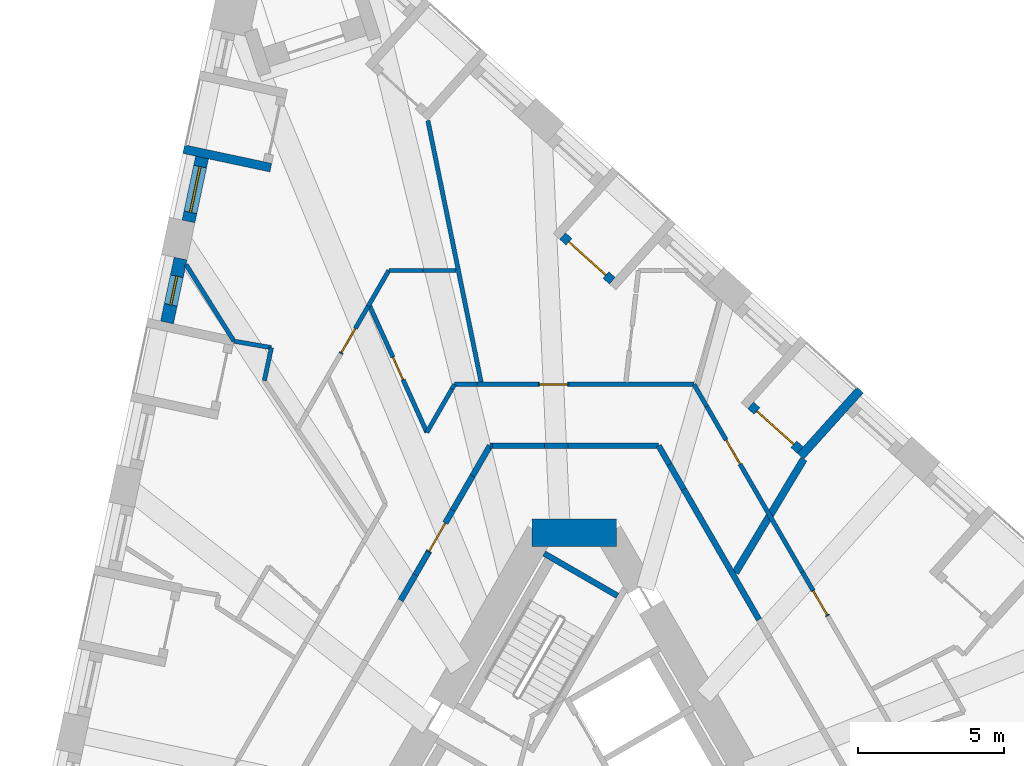
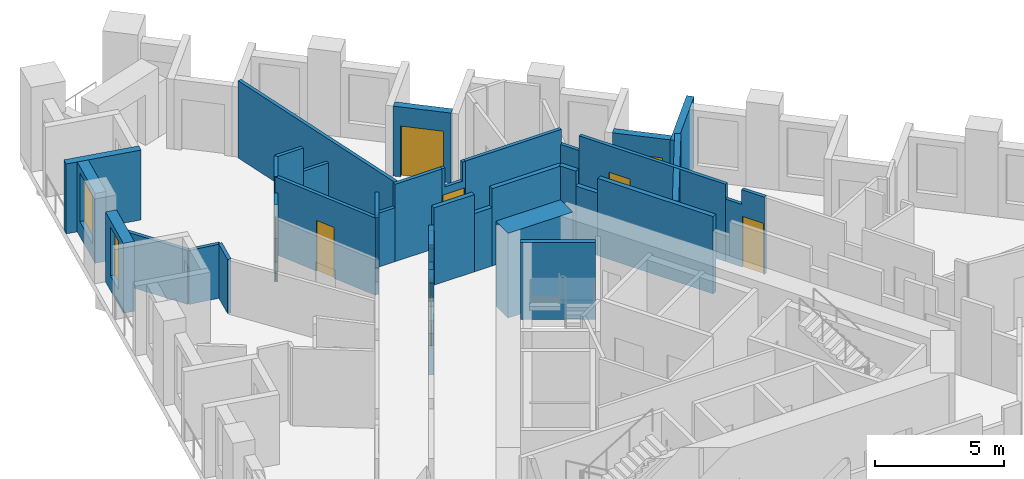
# One storey, part 8 of 13: 39 walls, 8 doors, 2 windows, 10 openings.
"""IFC4 building model written with IfcOpenShell, lengths in metres."""

from ifc_helpers import new_model, si_unit, direction, frame, frame_2d, origin, place, context, subcontext, project, spatial, polyline, rectangle, outline, extrude, material, layer, layer_set, type_object, element, fill, save


model = new_model("IFC4")

# Units and contexts
model_context = context("Model", 3, precision=1e-05, world=origin(), true_north=direction((0.0, 1.0)))
body_context = subcontext(model_context, "Body", "Model", "MODEL_VIEW")
ifc_project = project(units=[si_unit("LENGTHUNIT", "METRE"), si_unit("AREAUNIT", "SQUARE_METRE"), si_unit("VOLUMEUNIT", "CUBIC_METRE"), si_unit("PLANEANGLEUNIT", "RADIAN"), si_unit("MASSUNIT", "GRAM", prefix="KILO")], contexts=[model_context])

# Site, building, storey
site_placement = place(None, origin())
site = spatial("IfcSite", under=ifc_project, at=site_placement, CompositionType="ELEMENT")
building_placement = place(site_placement, origin())
building = spatial("IfcBuilding", under=site, at=building_placement, Name="Tramontana Tower", CompositionType="ELEMENT")
storey_placement = place(building_placement, frame((0.0, 0.0, 104.39990234375)))
storey = spatial("IfcBuildingStorey", under=building, at=storey_placement, Name="L23", CompositionType="ELEMENT", Elevation=104.39990234375)

# Walls
ifc_material_1 = material(Name="Concrete 70 MPa", Category="concrete")
ifc_layer_1 = layer(ifc_material_1, 0.949951171875)
ifc_layer_set_1 = layer_set([ifc_layer_1], Name="Core wall 950 70 MPa")
wall_type_1 = type_object("IfcWallType", Name="Core wall 950 70 MPa", PredefinedType="SHEAR", material=ifc_layer_set_1)
wall_1_placement = place(storey_placement, frame((1.443359375, 10.52490234375, 0.0), z_axis=(0.0, 0.0, 1.0), x_axis=(-1.0, 0.0, 0.0)))
element("IfcWall", 1, at=wall_1_placement, inside=storey, type_object=wall_type_1, Name="Core wall C0 L23", PredefinedType="SHEAR", context=body_context, shape_type="SweptSolid", body=[
    extrude(rectangle(XDim=2.88671875, YDim=0.949951171875, at=frame_2d((1.443359375, 0.0))), origin(), (0.0, 0.0, 1.0), 4.0),
])
ifc_material_2 = material(Name="Blockwork", Category="masonry")
ifc_layer_2 = layer(ifc_material_2, 0.199951171875)
ifc_layer_set_2 = layer_set([ifc_layer_2], Name="ENTRY WALL 200")
wall_type_2 = type_object("IfcWallType", Name="ENTRY WALL 200", PredefinedType="SOLIDWALL", material=ifc_layer_set_2)
wall_2_placement = place(storey_placement, frame((2.88671875, 13.5, 0.0), z_axis=(0.0, 0.0, 1.0), x_axis=(0.499987686533, -0.866032512851, 0.0)))
element("IfcWall", 2, at=wall_2_placement, inside=storey, type_object=wall_type_2, Name="Wall v21-ew0-0", PredefinedType="SOLIDWALL", context=body_context, shape_type="SweptSolid", body=[
    extrude(rectangle(XDim=0.74365234375, YDim=0.199951171875, at=frame_2d((0.371826171875, 0.0))), origin(), (0.0, 0.0, 1.0), 3.650146484375),
])
wall_3_placement = place(storey_placement, frame((3.258544921875, 12.85595703125, 0.0), z_axis=(0.0, 0.0, 1.0), x_axis=(0.500061185694, -0.865990075325, 0.0)))
element("IfcWall", 3, at=wall_3_placement, inside=storey, type_object=wall_type_2, Name="Wall v21-ew0-1", PredefinedType="SOLIDWALL", context=body_context, shape_type="SweptSolid", body=[
    extrude(rectangle(XDim=0.9775390625, YDim=0.199951171875, at=frame_2d((0.48876953125, 0.0))), origin(), (0.0, 0.0, 1.0), 2.9501953125),
])
wall_4_placement = place(storey_placement, frame((3.747314453125, 12.009521484375, 0.0), z_axis=(0.0, 0.0, 1.0), x_axis=(0.500001317485, -0.866024643133, 0.0)))
element("IfcWall", 4, at=wall_4_placement, inside=storey, type_object=wall_type_2, Name="Wall v21-ew0-2", PredefinedType="SOLIDWALL", context=body_context, shape_type="SweptSolid", body=[
    extrude(rectangle(XDim=5.1533203125, YDim=0.199951171875, at=frame_2d((2.57666015625, 0.0))), origin(), (0.0, 0.0, 1.0), 3.650146484375),
])
wall_5_placement = place(storey_placement, frame((-5.944091796875, 8.20458984375, 0.0), z_axis=(0.0, 0.0, 1.0), x_axis=(0.500051323872, 0.865995769906, 0.0)))
element("IfcWall", 5, at=wall_5_placement, inside=storey, type_object=wall_type_2, Name="Wall v21-ew4-7", PredefinedType="SOLIDWALL", context=body_context, shape_type="SweptSolid", body=[
    extrude(rectangle(XDim=1.0068359375, YDim=0.199951171875, at=frame_2d((0.50341796875, 0.0))), origin(), (0.0, 0.0, 1.0), 2.550048828125),
])
wall_6_placement = place(storey_placement, frame((-5.440673828125, 9.076416015625, 0.0), z_axis=(0.0, 0.0, 1.0), x_axis=(0.499902469156, 0.866081705922, 0.0)))
element("IfcWall", 6, at=wall_6_placement, inside=storey, type_object=wall_type_2, Name="Wall v21-ew4-8", PredefinedType="SOLIDWALL", context=body_context, shape_type="SweptSolid", body=[
    extrude(rectangle(XDim=0.900146484375, YDim=0.199951171875, at=frame_2d((0.4501953125, 0.0))), origin(), (0.0, 0.0, 1.0), 3.650146484375),
])

# Wall, opening, door
wall_7_placement = place(storey_placement, frame((-4.99072265625, 9.85595703125, 0.0), z_axis=(0.0, 0.0, 1.0), x_axis=(0.500088396166, 0.865974362219, 0.0)))
wall_7 = element("IfcWall", 7, at=wall_7_placement, inside=storey, type_object=wall_type_2, Name="Wall v21-ew4-9", PredefinedType="SOLIDWALL", context=body_context, shape_type="SweptSolid", body=[
    extrude(outline(polyline([(0.0, 0.0), (1.655517578125, 0.0), (1.655517578125, 2.550048828125), (0.519287109375, 2.550048828125), (0.519287109375, 3.650146484375), (0.0, 3.650146484375), (0.0, 0.0)])), frame((0.0, 0.10009765625, 0.0), z_axis=(0.0, -1.0, 0.0), x_axis=(1.0, 0.0, 0.0)), (0.0, 0.0, 1.0), 0.199951171875),
])
opening_1_placement = place(wall_7_placement, frame((0.050048828125, 0.0, 0.0)))
opening_1 = element("IfcOpeningElement", 8, at=opening_1_placement, cuts=wall_7, Name="Opening B2B-26", PredefinedType="OPENING", context=body_context, shape_type="SweptSolid", body=[
    extrude(rectangle(XDim=1.10009765625, YDim=2.39990234375, at=frame_2d((0.550048828125, 1.199951171875))), frame((0.0, 0.10986328125, 0.0), z_axis=(0.0, -1.0, 0.0), x_axis=(1.0, 0.0, 0.0)), (0.0, 0.0, 1.0), 0.219970703125),
])
ifc_material_3 = material(Name="Painted timber", Category="wood")
door_type_1 = type_object("IfcDoorType", Name="DOOR ENTRY 1100", OperationType="SINGLE_SWING_LEFT", PredefinedType="DOOR", material=ifc_material_3)
door_1_placement = place(opening_1_placement, origin())
door_1 = element("IfcDoor", 9, at=door_1_placement, inside=storey, type_object=door_type_1, Name="Door B2B-26", OperationType="SINGLE_SWING_RIGHT", OverallHeight=2.39990234375, OverallWidth=1.10009765625, PredefinedType="DOOR", context=body_context, shape_type="SweptSolid", body=[
    extrude(rectangle(XDim=1.10009765625, YDim=2.39990234375, at=frame_2d((0.550048828125, 1.199951171875))), frame((0.0, 0.02490234375, 0.0), z_axis=(0.0, -1.0, 0.0), x_axis=(1.0, 0.0, 0.0)), (0.0, 0.0, 1.0), 0.050048828125),
])
fill(opening_1, door_1)

# Walls
wall_8_placement = place(storey_placement, frame((-4.162841796875, 11.28955078125, 0.0), z_axis=(0.0, 0.0, 1.0), x_axis=(0.499903734186, 0.866080975745, 0.0)))
element("IfcWall", 10, at=wall_8_placement, inside=storey, type_object=wall_type_2, Name="Wall v21-ew4-10", PredefinedType="SOLIDWALL", context=body_context, shape_type="SweptSolid", body=[
    extrude(rectangle(XDim=1.360107421875, YDim=0.199951171875, at=frame_2d((0.68017578125, 0.0))), origin(), (0.0, 0.0, 1.0), 3.650146484375),
])
wall_9_placement = place(storey_placement, frame((-3.48291015625, 12.467529296875, 0.0), z_axis=(0.0, 0.0, 1.0), x_axis=(0.500059236744, 0.865991200733, 0.0)))
element("IfcWall", 11, at=wall_9_placement, inside=storey, type_object=wall_type_2, Name="Wall v21-ew4-11", PredefinedType="SOLIDWALL", context=body_context, shape_type="SweptSolid", body=[
    extrude(rectangle(XDim=1.192138671875, YDim=0.199951171875, at=frame_2d((0.59619140625, 0.0))), origin(), (0.0, 0.0, 1.0), 2.550048828125),
])
wall_10_placement = place(storey_placement, frame((-2.88671875, 13.5, 0.0), z_axis=(0.0, 0.0, 1.0), x_axis=(1.0, 0.0, 0.0)))
element("IfcWall", 12, at=wall_10_placement, inside=storey, type_object=wall_type_2, Name="Wall v21-ew5-0", PredefinedType="SOLIDWALL", context=body_context, shape_type="SweptSolid", body=[
    extrude(rectangle(XDim=0.079833984375, YDim=0.199951171875, at=frame_2d((0.0400390625, 0.0))), origin(), (0.0, 0.0, 1.0), 2.550048828125),
])
wall_11_placement = place(storey_placement, frame((-2.806884765625, 13.5, 0.0), z_axis=(0.0, 0.0, 1.0), x_axis=(1.0, 0.0, 0.0)))
element("IfcWall", 13, at=wall_11_placement, inside=storey, type_object=wall_type_2, Name="Wall v21-ew5-1", PredefinedType="SOLIDWALL", context=body_context, shape_type="SweptSolid", body=[
    extrude(rectangle(XDim=1.7880859375, YDim=0.199951171875, at=frame_2d((0.89404296875, 0.0))), origin(), (0.0, 0.0, 1.0), 3.650146484375),
])
wall_12_placement = place(storey_placement, frame((-1.018798828125, 13.5, 0.0), z_axis=(0.0, 0.0, 1.0), x_axis=(1.0, 0.0, 0.0)))
element("IfcWall", 14, at=wall_12_placement, inside=storey, type_object=wall_type_2, Name="Wall v21-ew5-2", PredefinedType="SOLIDWALL", context=body_context, shape_type="SweptSolid", body=[
    extrude(rectangle(XDim=0.80078125, YDim=0.199951171875, at=frame_2d((0.400390625, 0.0))), origin(), (0.0, 0.0, 1.0), 2.75),
])
wall_13_placement = place(storey_placement, frame((-0.218017578125, 13.5, 0.0), z_axis=(0.0, 0.0, 1.0), x_axis=(1.0, 0.0, 0.0)))
element("IfcWall", 15, at=wall_13_placement, inside=storey, type_object=wall_type_2, Name="Wall v21-ew5-3", PredefinedType="SOLIDWALL", context=body_context, shape_type="SweptSolid", body=[
    extrude(rectangle(XDim=3.104736328125, YDim=0.199951171875, at=frame_2d((1.55224609375, 0.0))), origin(), (0.0, 0.0, 1.0), 3.650146484375),
])

# Wall, opening, window
ifc_material_4 = material(Name="Precast concrete 60 MPa", Category="concrete")
ifc_layer_3 = layer(ifc_material_4, 0.449951171875)
ifc_layer_set_3 = layer_set([ifc_layer_3], Name="Precast concrete 60 MPa, 450 mm")
wall_type_3 = type_object("IfcWallType", Name="EW1 Stone-faced precast wall 450", PredefinedType="SOLIDWALL", material=ifc_layer_set_3)
wall_14_placement = place(storey_placement, frame((-12.7451171875, 23.36767578125, 0.0), z_axis=(0.0, 0.0, 1.0), x_axis=(-0.207941001029, -0.978141370197, 0.0)))
wall_14 = element("IfcWall", 16, at=wall_14_placement, inside=storey, type_object=wall_type_3, Name="External wall L23 face 0 bay 1", PredefinedType="SOLIDWALL", context=body_context, shape_type="SweptSolid", body=[
    extrude(rectangle(XDim=2.236572265625, YDim=0.449951171875, at=frame_2d((1.1181640625, 0.0))), origin(), (0.0, 0.0, 1.0), 3.300048828125),
])
opening_2_placement = place(wall_14_placement, frame((0.318359375, 0.0, 0.699951171875)))
opening_2 = element("IfcOpeningElement", 17, at=opening_2_placement, cuts=wall_14, Name="Opening M1", PredefinedType="OPENING", context=body_context, shape_type="SweptSolid", body=[
    extrude(rectangle(XDim=1.60009765625, YDim=2.300048828125, at=frame_2d((0.800048828125, 1.14990234375))), frame((0.0, 0.23486328125, 0.0), z_axis=(0.0, -1.0, 0.0), x_axis=(1.0, 0.0, 0.0)), (0.0, 0.0, 1.0), 0.469970703125),
])
ifc_material_5 = material(Name="Aluminum frame, double glazing unit", Category="aluminium")
window_type_1 = type_object("IfcWindowType", Name="M1 Window 1.6 x 2.3", PartitioningType="SINGLE_PANEL", PredefinedType="WINDOW", material=ifc_material_5)
window_1_placement = place(opening_2_placement, origin())
window_1 = element("IfcWindow", 18, at=window_1_placement, inside=storey, type_object=window_type_1, Name="Window M1 L23 face 0 module 3", OverallHeight=2.300048828125, OverallWidth=1.60009765625, PartitioningType="SINGLE_PANEL", PredefinedType="WINDOW", context=body_context, shape_type="SweptSolid", body=[
    extrude(rectangle(XDim=1.60009765625, YDim=2.300048828125, at=frame_2d((0.800048828125, 1.14990234375))), frame((0.0, 0.030029296875, 0.0), z_axis=(0.0, -1.0, 0.0), x_axis=(1.0, 0.0, 0.0)), (0.0, 0.0, 1.0), 0.06005859375),
])
fill(opening_2, window_1)

wall_15_placement = place(storey_placement, frame((-13.48046875, 19.908203125, 0.0), z_axis=(0.0, 0.0, 1.0), x_axis=(-0.207941001029, -0.978141370197, 0.0)))
wall_15 = element("IfcWall", 19, at=wall_15_placement, inside=storey, type_object=wall_type_3, Name="External wall L23 face 0 bay 2", PredefinedType="SOLIDWALL", context=body_context, shape_type="SweptSolid", body=[
    extrude(rectangle(XDim=2.236572265625, YDim=0.449951171875, at=frame_2d((1.1181640625, 0.0))), origin(), (0.0, 0.0, 1.0), 3.300048828125),
])
opening_3_placement = place(wall_15_placement, frame((0.618408203125, 0.0, 0.699951171875)))
opening_3 = element("IfcOpeningElement", 20, at=opening_3_placement, cuts=wall_15, Name="Opening N1", PredefinedType="OPENING", context=body_context, shape_type="SweptSolid", body=[
    extrude(rectangle(XDim=1.0, YDim=2.300048828125, at=frame_2d((0.5, 1.14990234375))), frame((0.0, 0.23486328125, 0.0), z_axis=(0.0, -1.0, 0.0), x_axis=(1.0, 0.0, 0.0)), (0.0, 0.0, 1.0), 0.469970703125),
])
ifc_material_6 = material(Name="Aluminum frame, double glazing unit", Category="aluminium")
window_type_2 = type_object("IfcWindowType", Name="N1 Window 1 x 2.3", PartitioningType="SINGLE_PANEL", PredefinedType="WINDOW", material=ifc_material_6)
window_2_placement = place(opening_3_placement, origin())
window_2 = element("IfcWindow", 21, at=window_2_placement, inside=storey, type_object=window_type_2, Name="Window N1 L23 face 0 module 4", OverallHeight=2.300048828125, OverallWidth=1.0, PartitioningType="SINGLE_PANEL", PredefinedType="WINDOW", context=body_context, shape_type="SweptSolid", body=[
    extrude(rectangle(XDim=1.0, YDim=2.300048828125, at=frame_2d((0.5, 1.14990234375))), frame((0.0, 0.030029296875, 0.0), z_axis=(0.0, -1.0, 0.0), x_axis=(1.0, 0.0, 0.0)), (0.0, 0.0, 1.0), 0.06005859375),
])
fill(opening_3, window_2)

# Wall
ifc_material_7 = material(Name="Precast concrete 60 MPa", Category="concrete")
ifc_layer_4 = layer(ifc_material_7, 0.300048828125)
ifc_layer_set_4 = layer_set([ifc_layer_4], Name="LW1 Stone-faced loggia wall 300")
wall_type_4 = type_object("IfcWallType", Name="LW1 Stone-faced loggia wall 300", PredefinedType="SOLIDWALL", material=ifc_layer_set_4)
wall_16_placement = place(storey_placement, frame((-13.3740234375, 23.65478515625, 0.0), z_axis=(0.0, 0.0, 1.0), x_axis=(0.978151322619, -0.207894179953, 0.0)))
element("IfcWall", 22, at=wall_16_placement, inside=storey, type_object=wall_type_4, Name="Loggia return L23 G2S0.1b", PredefinedType="SOLIDWALL", context=body_context, shape_type="SweptSolid", body=[
    extrude(rectangle(XDim=3.0498046875, YDim=0.300048828125, at=frame_2d((1.52490234375, 0.0))), origin(), (0.0, 0.0, 1.0), 3.300048828125),
])

# Wall, opening, door
wall_17_placement = place(storey_placement, frame((7.735595703125, 13.353759765625, 0.0), z_axis=(0.0, 0.0, 1.0), x_axis=(-0.743081759278, 0.669200641832, 0.0)))
wall_17 = element("IfcWall", 23, at=wall_17_placement, inside=storey, type_object=wall_type_4, Name="Loggia wall L23 G2S2.10", PredefinedType="SOLIDWALL", context=body_context, shape_type="SweptSolid", body=[
    extrude(rectangle(XDim=2.28662109375, YDim=0.300048828125, at=frame_2d((1.143310546875, 0.0))), origin(), (0.0, 0.0, 1.0), 3.300048828125),
])
opening_4_placement = place(wall_17_placement, frame((0.29345703125, 0.0, 0.0)))
opening_4 = element("IfcOpeningElement", 24, at=opening_4_placement, cuts=wall_17, Name="Opening BD-2S2-10", PredefinedType="OPENING", context=body_context, shape_type="SweptSolid", body=[
    extrude(rectangle(XDim=1.699951171875, YDim=2.39990234375, at=frame_2d((0.85009765625, 1.199951171875))), frame((0.0, 0.159912109375, 0.0), z_axis=(0.0, -1.0, 0.0), x_axis=(1.0, 0.0, 0.0)), (0.0, 0.0, 1.0), 0.320068359375),
])
ifc_material_8 = material(Name="Aluminum frame, double glazing unit", Category="aluminium")
door_type_2 = type_object("IfcDoorType", Name="BD1 Sliding door 1.7 x 2.4", OperationType="SLIDING_TO_LEFT", PredefinedType="DOOR", material=ifc_material_8)
door_2_placement = place(opening_4_placement, origin())
door_2 = element("IfcDoor", 25, at=door_2_placement, inside=storey, type_object=door_type_2, Name="Loggia door L23 G2S2.10", OperationType="SLIDING_TO_LEFT", OverallHeight=2.39990234375, OverallWidth=1.699951171875, PredefinedType="DOOR", context=body_context, shape_type="SweptSolid", body=[
    extrude(rectangle(XDim=1.699951171875, YDim=2.39990234375, at=frame_2d((0.85009765625, 1.199951171875))), frame((0.0, 0.02490234375, 0.0), z_axis=(0.0, -1.0, 0.0), x_axis=(1.0, 0.0, 0.0)), (0.0, 0.0, 1.0), 0.050048828125),
])
fill(opening_4, door_2)

# Wall
wall_18_placement = place(storey_placement, frame((9.78759765625, 15.40869140625, 0.0), z_axis=(0.0, 0.0, 1.0), x_axis=(-0.669115082961, -0.743158802514, 0.0)))
element("IfcWall", 26, at=wall_18_placement, inside=storey, type_object=wall_type_4, Name="Loggia return L23 G2S2.10a", PredefinedType="SOLIDWALL", context=body_context, shape_type="SweptSolid", body=[
    extrude(rectangle(XDim=3.050048828125, YDim=0.300048828125, at=frame_2d((1.52490234375, 0.0))), origin(), (0.0, 0.0, 1.0), 3.300048828125),
])

# Wall, opening, door
wall_19_placement = place(storey_placement, frame((1.2998046875, 19.148681640625, 0.0), z_axis=(0.0, 0.0, 1.0), x_axis=(-0.743182653308, 0.669088591909, 0.0)))
wall_19 = element("IfcWall", 27, at=wall_19_placement, inside=storey, type_object=wall_type_4, Name="Loggia wall L23 G2S2.13", PredefinedType="SOLIDWALL", context=body_context, shape_type="SweptSolid", body=[
    extrude(rectangle(XDim=2.28662109375, YDim=0.300048828125, at=frame_2d((1.143310546875, 0.0))), origin(), (0.0, 0.0, 1.0), 3.300048828125),
])
opening_5_placement = place(wall_19_placement, frame((0.29345703125, 0.0, 0.0)))
opening_5 = element("IfcOpeningElement", 28, at=opening_5_placement, cuts=wall_19, Name="Opening BD-2S2-13", PredefinedType="OPENING", context=body_context, shape_type="SweptSolid", body=[
    extrude(rectangle(XDim=1.699951171875, YDim=2.39990234375, at=frame_2d((0.85009765625, 1.199951171875))), frame((0.0, 0.159912109375, 0.0), z_axis=(0.0, -1.0, 0.0), x_axis=(1.0, 0.0, 0.0)), (0.0, 0.0, 1.0), 0.320068359375),
])
door_3_placement = place(opening_5_placement, origin())
door_3 = element("IfcDoor", 29, at=door_3_placement, inside=storey, type_object=door_type_2, Name="Loggia door L23 G2S2.13", OperationType="SLIDING_TO_LEFT", OverallHeight=2.39990234375, OverallWidth=1.699951171875, PredefinedType="DOOR", context=body_context, shape_type="SweptSolid", body=[
    extrude(rectangle(XDim=1.699951171875, YDim=2.39990234375, at=frame_2d((0.85009765625, 1.199951171875))), frame((0.0, 0.02490234375, 0.0), z_axis=(0.0, -1.0, 0.0), x_axis=(1.0, 0.0, 0.0)), (0.0, 0.0, 1.0), 0.050048828125),
])
fill(opening_5, door_3)

# Walls
ifc_material_9 = material(Name="Gypsum board partition")
ifc_layer_5 = layer(ifc_material_9, 0.14990234375)
ifc_layer_set_5 = layer_set([ifc_layer_5], Name="PARTITION 150")
wall_type_5 = type_object("IfcWallType", Name="PARTITION 150", PredefinedType="PARTITIONING", material=ifc_layer_set_5)
wall_20_placement = place(storey_placement, frame((-11.653564453125, 17.079833984375, 0.0), z_axis=(0.0, 0.0, 1.0), x_axis=(-0.529991848631, 0.848002736072, 0.0)))
element("IfcWall", 30, at=wall_20_placement, inside=storey, type_object=wall_type_5, Name="Wall v21-pw09-0", PredefinedType="PARTITIONING", context=body_context, shape_type="SweptSolid", body=[
    extrude(rectangle(XDim=3.0947265625, YDim=0.14990234375, at=frame_2d((1.54736328125, 0.0))), origin(), (0.0, 0.0, 1.0), 2.550048828125),
])
wall_21_placement = place(storey_placement, frame((-10.611572265625, 15.728515625, 0.0), z_axis=(0.0, 0.0, 1.0), x_axis=(0.207866350726, 0.97815723697, 0.0)))
element("IfcWall", 31, at=wall_21_placement, inside=storey, type_object=wall_type_5, Name="Wall v21-pw13-0", PredefinedType="PARTITIONING", context=body_context, shape_type="SweptSolid", body=[
    extrude(rectangle(XDim=1.1533203125, YDim=0.14990234375, at=frame_2d((0.57666015625, 0.0))), origin(), (0.0, 0.0, 1.0), 2.550048828125),
])
wall_22_placement = place(storey_placement, frame((-10.373291015625, 16.859130859375, 0.0), z_axis=(0.0, 0.0, 1.0), x_axis=(-0.985464455429, 0.169881744414, 0.0)))
element("IfcWall", 32, at=wall_22_placement, inside=storey, type_object=wall_type_5, Name="Wall v21-pw15-0", PredefinedType="PARTITIONING", context=body_context, shape_type="SweptSolid", body=[
    extrude(rectangle(XDim=1.299072265625, YDim=0.14990234375, at=frame_2d((0.6494140625, 0.0))), origin(), (0.0, 0.0, 1.0), 2.550048828125),
])

# Wall, opening, door
wall_23_placement = place(storey_placement, frame((-7.996337890625, 16.64990234375, 0.0), z_axis=(0.0, 0.0, 1.0), x_axis=(0.499962016178, 0.866047332643, 0.0)))
wall_23 = element("IfcWall", 33, at=wall_23_placement, inside=storey, type_object=wall_type_5, Name="Wall v21-pw18-2", PredefinedType="PARTITIONING", context=body_context, shape_type="SweptSolid", body=[
    extrude(outline(polyline([(0.0, 0.0), (1.882080078125, 0.0), (1.8818359375, 2.550048828125), (0.777099609375, 2.550048828125), (0.777099609375, 3.650146484375), (0.0, 3.650146484375), (0.0, 0.0)])), frame((0.0, 0.074951171875, 0.0), z_axis=(0.0, -1.0, 0.0), x_axis=(1.0, 0.0, 0.0)), (0.0, 0.0, 1.0), 0.14990234375),
])
opening_6_placement = place(wall_23_placement, frame((0.050048828125, 0.0, 0.0)))
opening_6 = element("IfcOpeningElement", 34, at=opening_6_placement, cuts=wall_23, Name="Opening B2B-03", PredefinedType="OPENING", context=body_context, shape_type="SweptSolid", body=[
    extrude(rectangle(XDim=0.949951171875, YDim=2.39990234375, at=frame_2d((0.47509765625, 1.199951171875))), frame((0.0, 0.0849609375, 0.0), z_axis=(0.0, -1.0, 0.0), x_axis=(1.0, 0.0, 0.0)), (0.0, 0.0, 1.0), 0.169921875),
])
ifc_material_10 = material(Name="Painted timber", Category="wood")
door_type_3 = type_object("IfcDoorType", Name="DOOR ROOM 950", OperationType="SINGLE_SWING_LEFT", PredefinedType="DOOR", material=ifc_material_10)
door_4_placement = place(opening_6_placement, origin())
door_4 = element("IfcDoor", 35, at=door_4_placement, inside=storey, type_object=door_type_3, Name="Door B2B-03", OperationType="SINGLE_SWING_LEFT", OverallHeight=2.39990234375, OverallWidth=0.949951171875, PredefinedType="DOOR", context=body_context, shape_type="SweptSolid", body=[
    extrude(rectangle(XDim=0.949951171875, YDim=2.39990234375, at=frame_2d((0.47509765625, 1.199951171875))), frame((0.0, 0.02490234375, 0.0), z_axis=(0.0, -1.0, 0.0), x_axis=(1.0, 0.0, 0.0)), (0.0, 0.0, 1.0), 0.050048828125),
])
fill(opening_6, door_4)

# Wall
wall_24_placement = place(storey_placement, frame((-7.055419921875, 18.27978515625, 0.0), z_axis=(0.0, 0.0, 1.0), x_axis=(0.500052415518, 0.865995139556, 0.0)))
element("IfcWall", 36, at=wall_24_placement, inside=storey, type_object=wall_type_5, Name="Wall v21-pw18-3", PredefinedType="PARTITIONING", context=body_context, shape_type="SweptSolid", body=[
    extrude(rectangle(XDim=1.408935546875, YDim=0.14990234375, at=frame_2d((0.70458984375, 0.0))), origin(), (0.0, 0.0, 1.0), 3.650146484375),
])

# Wall, opening, door
wall_25_placement = place(storey_placement, frame((-7.02392578125, 18.328125, 0.0), z_axis=(0.0, 0.0, 1.0), x_axis=(0.41197154639, -0.911196710357, 0.0)))
wall_25 = element("IfcWall", 37, at=wall_25_placement, inside=storey, type_object=wall_type_5, Name="Wall v21-pw24", PredefinedType="PARTITIONING", context=body_context, shape_type="SweptSolid", body=[
    extrude(rectangle(XDim=4.79296875, YDim=0.14990234375, at=frame_2d((2.396484375, 0.0))), origin(), (0.0, 0.0, 1.0), 3.650146484375),
])
opening_7_placement = place(wall_25_placement, frame((1.9716796875, 0.0, 0.0)))
opening_7 = element("IfcOpeningElement", 38, at=opening_7_placement, cuts=wall_25, Name="Opening B2B-02", PredefinedType="OPENING", context=body_context, shape_type="SweptSolid", body=[
    extrude(rectangle(XDim=0.85009765625, YDim=2.39990234375, at=frame_2d((0.425048828125, 1.199951171875))), frame((0.0, 0.0849609375, 0.0), z_axis=(0.0, -1.0, 0.0), x_axis=(1.0, 0.0, 0.0)), (0.0, 0.0, 1.0), 0.169921875),
])
ifc_material_11 = material(Name="Painted timber", Category="wood")
door_type_4 = type_object("IfcDoorType", Name="DOOR BATH 850", OperationType="SINGLE_SWING_LEFT", PredefinedType="DOOR", material=ifc_material_11)
door_5_placement = place(opening_7_placement, origin())
door_5 = element("IfcDoor", 39, at=door_5_placement, inside=storey, type_object=door_type_4, Name="Door B2B-02", OperationType="SINGLE_SWING_RIGHT", OverallHeight=2.39990234375, OverallWidth=0.85009765625, PredefinedType="DOOR", context=body_context, shape_type="SweptSolid", body=[
    extrude(rectangle(XDim=0.85009765625, YDim=2.39990234375, at=frame_2d((0.425048828125, 1.199951171875))), frame((0.0, 0.02490234375, 0.0), z_axis=(0.0, -1.0, 0.0), x_axis=(1.0, 0.0, 0.0)), (0.0, 0.0, 1.0), 0.050048828125),
])
fill(opening_7, door_5)

# Walls
wall_26_placement = place(storey_placement, frame((-6.350830078125, 19.5, 0.0), z_axis=(0.0, 0.0, 1.0), x_axis=(1.0, 0.0, 0.0)))
element("IfcWall", 40, at=wall_26_placement, inside=storey, type_object=wall_type_5, Name="Wall v21-pw27-0", PredefinedType="PARTITIONING", context=body_context, shape_type="SweptSolid", body=[
    extrude(rectangle(XDim=1.177490234375, YDim=0.14990234375, at=frame_2d((0.5888671875, 0.0))), origin(), (0.0, 0.0, 1.0), 3.650146484375),
])
wall_27_placement = place(storey_placement, frame((-5.17333984375, 19.5, 0.0), z_axis=(0.0, 0.0, 1.0), x_axis=(1.0, 0.0, 0.0)))
element("IfcWall", 41, at=wall_27_placement, inside=storey, type_object=wall_type_5, Name="Wall v21-pw27-1", PredefinedType="PARTITIONING", context=body_context, shape_type="SweptSolid", body=[
    extrude(rectangle(XDim=1.127685546875, YDim=0.14990234375, at=frame_2d((0.56396484375, 0.0))), origin(), (0.0, 0.0, 1.0), 2.550048828125),
])
wall_28_placement = place(storey_placement, frame((-5.0458984375, 13.96044921875, 0.0), z_axis=(0.0, 0.0, 1.0), x_axis=(0.500068347527, 0.865985939725, 0.0)))
element("IfcWall", 42, at=wall_28_placement, inside=storey, type_object=wall_type_5, Name="Wall v21-pw29-0", PredefinedType="PARTITIONING", context=body_context, shape_type="SweptSolid", body=[
    extrude(rectangle(XDim=1.710693359375, YDim=0.14990234375, at=frame_2d((0.85546875, 0.0))), origin(), (0.0, 0.0, 1.0), 3.650146484375),
])
wall_29_placement = place(storey_placement, frame((-4.1904296875, 15.44189453125, 0.0), z_axis=(0.0, 0.0, 1.0), x_axis=(0.50045593687, 0.865762008436, 0.0)))
element("IfcWall", 43, at=wall_29_placement, inside=storey, type_object=wall_type_5, Name="Wall v21-pw29-1", PredefinedType="PARTITIONING", context=body_context, shape_type="SweptSolid", body=[
    extrude(rectangle(XDim=0.182373046875, YDim=0.14990234375, at=frame_2d((0.09130859375, 0.0))), origin(), (0.0, 0.0, 1.0), 2.550048828125),
])
wall_30_placement = place(storey_placement, frame((-5.013427734375, 24.63134765625, 0.0), z_axis=(0.0, 0.0, 1.0), x_axis=(0.199453921503, -0.979907206422, 0.0)))
element("IfcWall", 44, at=wall_30_placement, inside=storey, type_object=wall_type_5, Name="Wall v21-pw30", PredefinedType="PARTITIONING", context=body_context, shape_type="SweptSolid", body=[
    extrude(rectangle(XDim=9.139892578125, YDim=0.14990234375, at=frame_2d((4.56982421875, 0.0))), origin(), (0.0, 0.0, 1.0), 3.650146484375),
])
wall_31_placement = place(storey_placement, frame((-4.09912109375, 15.60009765625, 0.0), z_axis=(0.0, 0.0, 1.0), x_axis=(1.0, 0.0, 0.0)))
element("IfcWall", 45, at=wall_31_placement, inside=storey, type_object=wall_type_5, Name="Wall v21-pw31-0", PredefinedType="PARTITIONING", context=body_context, shape_type="SweptSolid", body=[
    extrude(rectangle(XDim=0.770751953125, YDim=0.14990234375, at=frame_2d((0.38525390625, 0.0))), origin(), (0.0, 0.0, 1.0), 2.550048828125),
])
wall_32_placement = place(storey_placement, frame((-3.328369140625, 15.60009765625, 0.0), z_axis=(0.0, 0.0, 1.0), x_axis=(1.0, 0.0, 0.0)))
element("IfcWall", 46, at=wall_32_placement, inside=storey, type_object=wall_type_5, Name="Wall v21-pw31-1", PredefinedType="PARTITIONING", context=body_context, shape_type="SweptSolid", body=[
    extrude(rectangle(XDim=2.09423828125, YDim=0.14990234375, at=frame_2d((1.047119140625, 0.0))), origin(), (0.0, 0.0, 1.0), 3.650146484375),
])

# Wall, opening, door
wall_33_placement = place(storey_placement, frame((-1.234130859375, 15.60009765625, 0.0), z_axis=(0.0, 0.0, 1.0), x_axis=(1.0, 0.0, 0.0)))
wall_33 = element("IfcWall", 47, at=wall_33_placement, inside=storey, type_object=wall_type_5, Name="Wall v21-pw31-2", PredefinedType="PARTITIONING", context=body_context, shape_type="SweptSolid", body=[
    extrude(outline(polyline([(0.0, 0.0), (1.050048828125, 0.0), (1.050048828125, 3.650146484375), (0.907470703125, 3.650146484375), (0.907470703125, 2.75), (0.131591796875, 2.75), (0.131591796875, 3.650146484375), (0.0, 3.650146484375), (0.0, 0.0)])), frame((0.0, 0.074951171875, 0.0), z_axis=(0.0, -1.0, 0.0), x_axis=(1.0, 0.0, 0.0)), (0.0, 0.0, 1.0), 0.14990234375),
])
opening_8_placement = place(wall_33_placement, frame((0.050048828125, 0.0, 0.0)))
opening_8 = element("IfcOpeningElement", 48, at=opening_8_placement, cuts=wall_33, Name="Opening B2B-04", PredefinedType="OPENING", context=body_context, shape_type="SweptSolid", body=[
    extrude(rectangle(XDim=0.949951171875, YDim=2.39990234375, at=frame_2d((0.47509765625, 1.199951171875))), frame((0.0, 0.0849609375, 0.0), z_axis=(0.0, -1.0, 0.0), x_axis=(1.0, 0.0, 0.0)), (0.0, 0.0, 1.0), 0.169921875),
])
door_6_placement = place(opening_8_placement, origin())
door_6 = element("IfcDoor", 49, at=door_6_placement, inside=storey, type_object=door_type_3, Name="Door B2B-04", OperationType="SINGLE_SWING_RIGHT", OverallHeight=2.39990234375, OverallWidth=0.949951171875, PredefinedType="DOOR", context=body_context, shape_type="SweptSolid", body=[
    extrude(rectangle(XDim=0.949951171875, YDim=2.39990234375, at=frame_2d((0.47509765625, 1.199951171875))), frame((0.0, 0.02490234375, 0.0), z_axis=(0.0, -1.0, 0.0), x_axis=(1.0, 0.0, 0.0)), (0.0, 0.0, 1.0), 0.050048828125),
])
fill(opening_8, door_6)

# Walls
wall_34_placement = place(storey_placement, frame((-0.18408203125, 15.60009765625, 0.0), z_axis=(0.0, 0.0, 1.0), x_axis=(1.0, 0.0, 0.0)))
element("IfcWall", 50, at=wall_34_placement, inside=storey, type_object=wall_type_5, Name="Wall v21-pw31-3", PredefinedType="PARTITIONING", context=body_context, shape_type="SweptSolid", body=[
    extrude(rectangle(XDim=4.283203125, YDim=0.14990234375, at=frame_2d((2.1416015625, 0.0))), origin(), (0.0, 0.0, 1.0), 3.650146484375),
])
wall_35_placement = place(storey_placement, frame((4.09912109375, 15.599853515625, 0.0), z_axis=(0.0, 0.0, 1.0), x_axis=(0.500216765549, -0.86590021796, 0.0)))
element("IfcWall", 51, at=wall_35_placement, inside=storey, type_object=wall_type_5, Name="Wall v21-pw40-0", PredefinedType="PARTITIONING", context=body_context, shape_type="SweptSolid", body=[
    extrude(rectangle(XDim=0.869140625, YDim=0.14990234375, at=frame_2d((0.4345703125, 0.0))), origin(), (0.0, 0.0, 1.0), 2.9501953125),
])

# Wall, opening, door
wall_36_placement = place(storey_placement, frame((4.533935546875, 14.84716796875, 0.0), z_axis=(0.0, 0.0, 1.0), x_axis=(0.499992467015, -0.866029752912, 0.0)))
wall_36 = element("IfcWall", 52, at=wall_36_placement, inside=storey, type_object=wall_type_5, Name="Wall v21-pw40-1", PredefinedType="PARTITIONING", context=body_context, shape_type="SweptSolid", body=[
    extrude(rectangle(XDim=6.54833984375, YDim=0.14990234375, at=frame_2d((3.274169921875, 0.0))), origin(), (0.0, 0.0, 1.0), 3.650146484375),
])
opening_9_placement = place(wall_36_placement, frame((1.330810546875, 0.0, 0.0)))
opening_9 = element("IfcOpeningElement", 53, at=opening_9_placement, cuts=wall_36, Name="Opening B2B-05", PredefinedType="OPENING", context=body_context, shape_type="SweptSolid", body=[
    extrude(rectangle(XDim=0.949951171875, YDim=2.39990234375, at=frame_2d((0.47509765625, 1.199951171875))), frame((0.0, 0.0849609375, 0.0), z_axis=(0.0, -1.0, 0.0), x_axis=(1.0, 0.0, 0.0)), (0.0, 0.0, 1.0), 0.169921875),
])
door_7_placement = place(opening_9_placement, origin())
door_7 = element("IfcDoor", 54, at=door_7_placement, inside=storey, type_object=door_type_3, Name="Door B2B-05", OperationType="SINGLE_SWING_LEFT", OverallHeight=2.39990234375, OverallWidth=0.949951171875, PredefinedType="DOOR", context=body_context, shape_type="SweptSolid", body=[
    extrude(rectangle(XDim=0.949951171875, YDim=2.39990234375, at=frame_2d((0.47509765625, 1.199951171875))), frame((0.0, 0.02490234375, 0.0), z_axis=(0.0, -1.0, 0.0), x_axis=(1.0, 0.0, 0.0)), (0.0, 0.0, 1.0), 0.050048828125),
])
fill(opening_9, door_7)

wall_37_placement = place(storey_placement, frame((7.80810546875, 9.176025390625, 0.0), z_axis=(0.0, 0.0, 1.0), x_axis=(0.500013671143, -0.866017510603, 0.0)))
wall_37 = element("IfcWall", 55, at=wall_37_placement, inside=storey, type_object=wall_type_5, Name="Wall v21-pw40-2", PredefinedType="PARTITIONING", context=body_context, shape_type="SweptSolid", body=[
    extrude(outline(polyline([(0.0, 0.0), (1.74169921875, 0.0), (1.74169921875, 3.650146484375), (0.709716796875, 3.650146484375), (0.709716796875, 2.9501953125), (0.0, 2.9501953125), (0.0, 0.0)])), frame((0.0, 0.074951171875, 0.0), z_axis=(0.0, -1.0, 0.0), x_axis=(1.0, 0.0, 0.0)), (0.0, 0.0, 1.0), 0.14990234375),
])
opening_10_placement = place(wall_37_placement, frame((0.74169921875, 0.0, 0.0)))
opening_10 = element("IfcOpeningElement", 56, at=opening_10_placement, cuts=wall_37, Name="Opening B2B-23", PredefinedType="OPENING", context=body_context, shape_type="SweptSolid", body=[
    extrude(rectangle(XDim=0.949951171875, YDim=2.39990234375, at=frame_2d((0.47509765625, 1.199951171875))), frame((0.0, 0.0849609375, 0.0), z_axis=(0.0, -1.0, 0.0), x_axis=(1.0, 0.0, 0.0)), (0.0, 0.0, 1.0), 0.169921875),
])
door_8_placement = place(opening_10_placement, origin())
door_8 = element("IfcDoor", 57, at=door_8_placement, inside=storey, type_object=door_type_3, Name="Door B2B-23", OperationType="SINGLE_SWING_LEFT", OverallHeight=2.39990234375, OverallWidth=0.949951171875, PredefinedType="DOOR", context=body_context, shape_type="SweptSolid", body=[
    extrude(rectangle(XDim=0.949951171875, YDim=2.39990234375, at=frame_2d((0.47509765625, 1.199951171875))), frame((0.0, 0.02490234375, 0.0), z_axis=(0.0, -1.0, 0.0), x_axis=(1.0, 0.0, 0.0)), (0.0, 0.0, 1.0), 0.050048828125),
])
fill(opening_10, door_8)

# Walls
ifc_material_12 = material(Name="Blockwork", Category="masonry")
ifc_layer_6 = layer(ifc_material_12, 0.25)
ifc_layer_set_6 = layer_set([ifc_layer_6], Name="PARTY WALL 250")
wall_type_6 = type_object("IfcWallType", Name="PARTY WALL 250", PredefinedType="SOLIDWALL", material=ifc_layer_set_6)
wall_38_placement = place(storey_placement, frame((7.858154296875, 13.04150390625, 0.0), z_axis=(0.0, 0.0, 1.0), x_axis=(-0.516122846291, -0.856514569366, 0.0)))
element("IfcWall", 58, at=wall_38_placement, inside=storey, type_object=wall_type_6, Name="Wall v21-pw42", PredefinedType="SOLIDWALL", context=body_context, shape_type="SweptSolid", body=[
    extrude(rectangle(XDim=4.54296875, YDim=0.25, at=frame_2d((2.271484375, 0.0))), origin(), (0.0, 0.0, 1.0), 3.650146484375),
])
ifc_material_13 = material(Name="Concrete 70 MPa", Category="concrete")
ifc_layer_7 = layer(ifc_material_13, 0.199951171875)
ifc_layer_set_7 = layer_set([ifc_layer_7], Name="Concrete 70 MPa, 200 mm")
wall_type_7 = type_object("IfcWallType", Name="RC STAIR AND SHAFT WALL 200", PredefinedType="SOLIDWALL", material=ifc_layer_set_7)
wall_39_placement = place(storey_placement, frame((1.478515625, 8.36083984375, 0.0), z_axis=(0.0, 0.0, 1.0), x_axis=(-0.866032775405, 0.499987231761, 0.0)))
element("IfcWall", 59, at=wall_39_placement, inside=storey, type_object=wall_type_7, Name="Wall st1-far", PredefinedType="SOLIDWALL", context=body_context, shape_type="SweptSolid", body=[
    extrude(rectangle(XDim=2.89990234375, YDim=0.199951171875, at=frame_2d((1.449951171875, 0.0))), origin(), (0.0, 0.0, 1.0), 3.650146484375),
])

save(model, "model.ifc")
